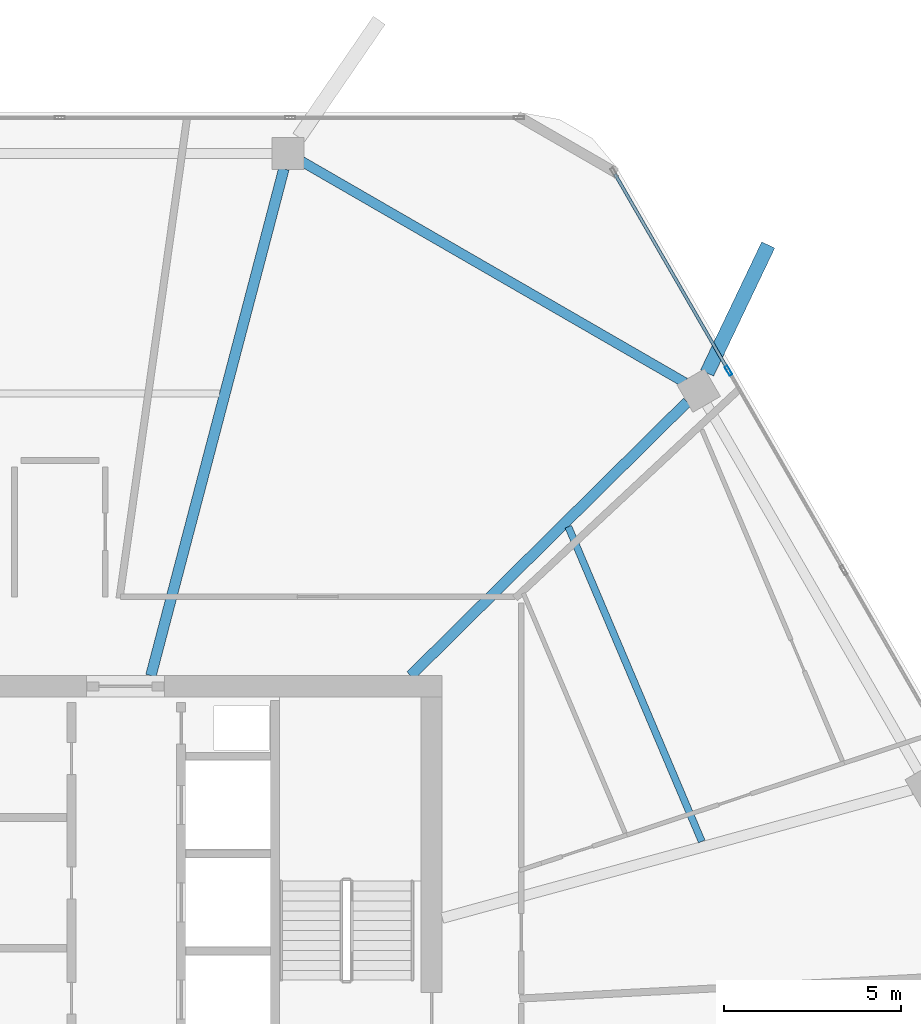
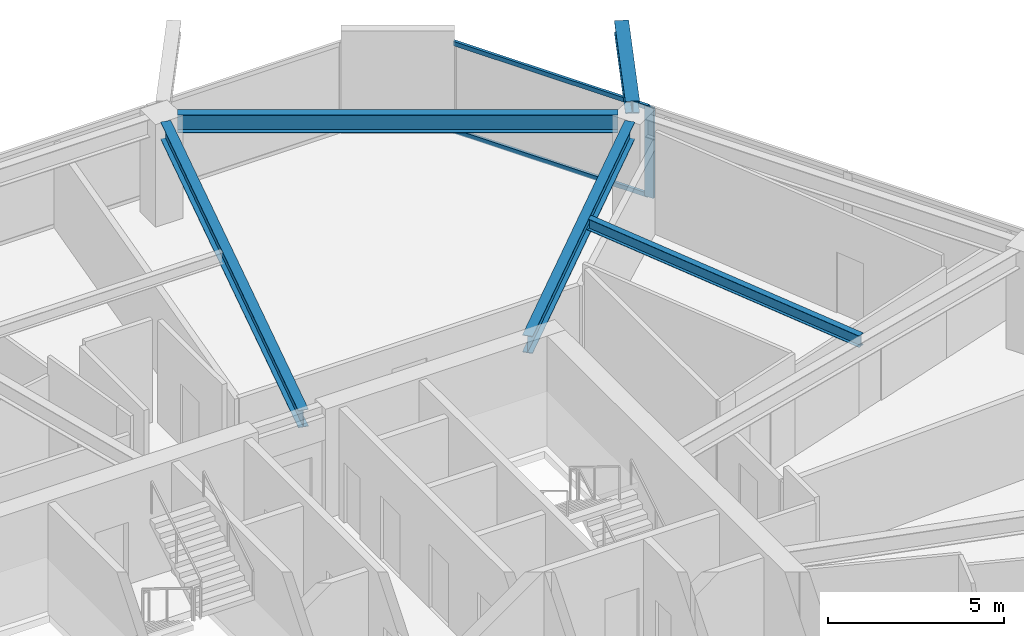
# One storey, part 14 of 25: 5 beams, 3 members, 1 element without a shape of its own.
"""IFC4 building model written with IfcOpenShell, lengths in metres."""

from ifc_helpers import new_model, si_unit, direction, frame, origin, origin_2d, place, context, subcontext, project, spatial, hollow_rectangle, i_section, extrude, material, material_profile, profile_set, type_object, element, aggregate, save


model = new_model("IFC4")

# Units and contexts
model_context = context("Model", 3, precision=1e-05, world=origin(), true_north=direction((0.0, 1.0)))
body_context = subcontext(model_context, "Body", "Model", "MODEL_VIEW")
ifc_project = project(units=[si_unit("LENGTHUNIT", "METRE"), si_unit("AREAUNIT", "SQUARE_METRE"), si_unit("VOLUMEUNIT", "CUBIC_METRE"), si_unit("PLANEANGLEUNIT", "RADIAN"), si_unit("MASSUNIT", "GRAM", prefix="KILO")], contexts=[model_context])

# Site, building, storey
site_placement = place(None, origin())
site = spatial("IfcSite", under=ifc_project, at=site_placement, CompositionType="ELEMENT")
building_placement = place(site_placement, origin())
building = spatial("IfcBuilding", under=site, at=building_placement, Name="Zuhravey Tower", CompositionType="ELEMENT")
storey_placement = place(building_placement, frame((0.0, 0.0, 257.800048828125)))
storey = spatial("IfcBuildingStorey", under=building, at=storey_placement, Name="L65", CompositionType="ELEMENT", Elevation=257.800048828125)

# Curtain wall, members
ifc_material_1 = material(Name="Thermally broken anodised aluminium", Category="aluminium")
curtain_wall_type = type_object("IfcCurtainWallType", Name="Zone 3-4 High-Rise Curtain Wall CW4", PredefinedType="NOTDEFINED", material=ifc_material_1)
curtain_wall_placement = place(storey_placement, origin())
curtain_wall = element("IfcCurtainWall", 1, at=curtain_wall_placement, inside=storey, type_object=curtain_wall_type, Name="L65 CW4 CW-L65-F1-1", PredefinedType="NOTDEFINED")
ifc_material_2 = material(Name="Anodised aluminium", Category="aluminium")
ifc_material_profile_1 = material_profile(ifc_material_2, hollow_rectangle(XDim=0.090087890625, YDim=0.284912109375, WallThickness=0.0048828125, at=origin_2d()), Name="ALU-RHS-90x285x5")
ifc_profile_set_1 = profile_set([ifc_material_profile_1], Name="Anodised aluminium")
member_type_1 = type_object("IfcMemberType", Name="Curtain-Wall Mullion 90x180", PredefinedType="MULLION", material=ifc_profile_set_1)
member_1_placement = place(storey_placement, frame((54.885498046875, 50.41650390625, 0.0), z_axis=(0.0, 0.0, 1.0), x_axis=(0.866024851021, 0.500000957414, 0.0)))
member_1 = element("IfcMember", 2, at=member_1_placement, type_object=member_type_1, Name="CW4 mullion 2", PredefinedType="MULLION", context=body_context, shape_type="SweptSolid", body=[
    extrude(hollow_rectangle(XDim=0.090087890625, YDim=0.284912109375, WallThickness=0.0048828125, at=origin_2d()), origin(), (0.0, 0.0, 1.0), 3.1220703125),
])
ifc_material_profile_2 = material_profile(ifc_material_2, hollow_rectangle(XDim=0.090087890625, YDim=0.14990234375, WallThickness=0.0048828125, at=origin_2d()), Name="ALU-RHS-90x150x5")
ifc_profile_set_2 = profile_set([ifc_material_profile_2], Name="Anodised aluminium")
member_type_2 = type_object("IfcMemberType", Name="Curtain-Wall Transom 90x150", PredefinedType="USERDEFINED", material=ifc_profile_set_2)
member_2_placement = place(storey_placement, frame((51.677490234375, 55.97314453125, 0.044921875), z_axis=(0.499980071345, -0.866036909293, 0.0), x_axis=(0.866036909293, 0.499980071345, 0.0)))
member_2 = element("IfcMember", 3, at=member_2_placement, type_object=member_type_2, Name="CW4 transom 1.1", ObjectType="TRANSOM", PredefinedType="USERDEFINED", context=body_context, shape_type="SweptSolid", body=[
    extrude(hollow_rectangle(XDim=0.090087890625, YDim=0.14990234375, WallThickness=0.0048828125, at=origin_2d()), origin(), (0.0, 0.0, 1.0), 6.371337890625),
])
member_3_placement = place(storey_placement, frame((51.677490234375, 55.97314453125, 3.076904296875), z_axis=(0.499980071345, -0.866036909293, 0.0), x_axis=(0.866036909293, 0.499980071345, 0.0)))
member_3 = element("IfcMember", 4, at=member_3_placement, type_object=member_type_2, Name="CW4 transom 1.2", ObjectType="TRANSOM", PredefinedType="USERDEFINED", context=body_context, shape_type="SweptSolid", body=[
    extrude(hollow_rectangle(XDim=0.090087890625, YDim=0.14990234375, WallThickness=0.0048828125, at=origin_2d()), origin(), (0.0, 0.0, 1.0), 6.371337890625),
])
aggregate(curtain_wall, [member_1, member_2, member_3])

# Beams
ifc_material_3 = material(Name="Steel SM460", Category="steel")
ifc_material_profile_3 = material_profile(ifc_material_3, i_section(OverallWidth=0.406982421875, OverallDepth=0.427978515625, WebThickness=0.02001953125, FlangeThickness=0.034912109375, at=origin_2d()), Name="H-428x407x20x35")
ifc_profile_set_3 = profile_set([ifc_material_profile_3], Name="Steel SM460")
beam_type_1 = type_object("IfcBeamType", Name="Exoskeleton Node Tie Beam H428x407", PredefinedType="BEAM", material=ifc_profile_set_3)
beam_1_placement = place(storey_placement, frame((54.280517578125, 50.350830078125, 3.3359375), z_axis=(0.431011445347, 0.902346460058, 0.0), x_axis=(-0.902346460058, 0.431011445347, 0.0)))
element("IfcBeam", 5, at=beam_1_placement, inside=storey, type_object=beam_type_1, Name="L65 Exoskeleton Node Tie NT1-02", PredefinedType="BEAM", context=body_context, shape_type="SweptSolid", body=[
    extrude(i_section(OverallWidth=0.406982421875, OverallDepth=0.427978515625, WebThickness=0.02001953125, FlangeThickness=0.034912109375, at=origin_2d()), origin(), (0.0, 0.0, 1.0), 4.008056640625),
])
ifc_material_4 = material(Name="Steel SM355", Category="steel")
ifc_material_profile_4 = material_profile(ifc_material_4, i_section(OverallWidth=0.280029296875, OverallDepth=0.6201171875, WebThickness=0.011962890625, FlangeThickness=0.02001953125, at=origin_2d()), Name="H-620x280x12x20")
ifc_profile_set_4 = profile_set([ifc_material_profile_4], Name="Steel SM355")
beam_type_2 = type_object("IfcBeamType", Name="Perimeter Ring Beam H620x280", PredefinedType="BEAM", material=ifc_profile_set_4)
beam_2_placement = place(storey_placement, frame((53.6513671875, 50.081298828125, 3.239990234375), z_axis=(-0.866025131093, 0.500000472315, 0.0), x_axis=(-0.500000472315, -0.866025131093, 0.0)))
element("IfcBeam", 6, at=beam_2_placement, inside=storey, type_object=beam_type_2, Name="L65 PB3 BM-L65-PB-02", PredefinedType="BEAM", context=body_context, shape_type="SweptSolid", body=[
    extrude(i_section(OverallWidth=0.280029296875, OverallDepth=0.6201171875, WebThickness=0.011962890625, FlangeThickness=0.02001953125, at=origin_2d()), origin(), (0.0, 0.0, 1.0), 12.49169921875),
])
ifc_material_profile_5 = material_profile(ifc_material_4, i_section(OverallWidth=0.300048828125, OverallDepth=0.60009765625, WebThickness=0.011962890625, FlangeThickness=0.02001953125, at=origin_2d()), Name="H-600x300x12x20")
ifc_profile_set_5 = profile_set([ifc_material_profile_5], Name="Steel SM355")
beam_type_3 = type_object("IfcBeamType", Name="Radial Primary Girder H600x300", PredefinedType="BEAM", material=ifc_profile_set_5)
beam_3_placement = place(storey_placement, frame((45.90673828125, 41.802978515625, 3.25), z_axis=(0.710816516282, 0.703377480576, 0.0), x_axis=(-0.703377480576, 0.710816516282, 0.0)))
element("IfcBeam", 7, at=beam_3_placement, inside=storey, type_object=beam_type_3, Name="L65 RG3 BM-L65-RAD-02", PredefinedType="BEAM", context=body_context, shape_type="SweptSolid", body=[
    extrude(i_section(OverallWidth=0.300048828125, OverallDepth=0.60009765625, WebThickness=0.011962890625, FlangeThickness=0.02001953125, at=origin_2d()), origin(), (0.0, 0.0, 1.0), 10.994384765625),
])
beam_4_placement = place(storey_placement, frame((38.571533203125, 41.802978515625, 3.25), z_axis=(0.253731415841, 0.967274712073, 0.0), x_axis=(-0.967274712073, 0.253731415841, 0.0)))
element("IfcBeam", 8, at=beam_4_placement, inside=storey, type_object=beam_type_3, Name="L65 RG3 BM-L65-RAD-03", PredefinedType="BEAM", context=body_context, shape_type="SweptSolid", body=[
    extrude(i_section(OverallWidth=0.300048828125, OverallDepth=0.60009765625, WebThickness=0.011962890625, FlangeThickness=0.02001953125, at=origin_2d()), origin(), (0.0, 0.0, 1.0), 14.796630859375),
])
ifc_material_profile_6 = material_profile(ifc_material_4, i_section(OverallWidth=0.199951171875, OverallDepth=0.39990234375, WebThickness=0.008056640625, FlangeThickness=0.012939453125, at=origin_2d()), Name="H-400x200x8x13")
ifc_profile_set_6 = profile_set([ifc_material_profile_6], Name="Steel SM355")
beam_type_4 = type_object("IfcBeamType", Name="Secondary Floor Joist H400x200", PredefinedType="JOIST", material=ifc_profile_set_6)
beam_5_placement = place(storey_placement, frame((54.130859375, 37.118896484375, 3.349853515625), z_axis=(-0.390413493754, 0.920639616731, 0.0), x_axis=(-0.920639616731, -0.390413493754, 0.0)))
element("IfcBeam", 9, at=beam_5_placement, inside=storey, type_object=beam_type_4, Name="L65 SJ2 BM-L65-SJ-01-1", PredefinedType="JOIST", context=body_context, shape_type="SweptSolid", body=[
    extrude(i_section(OverallWidth=0.199951171875, OverallDepth=0.39990234375, WebThickness=0.008056640625, FlangeThickness=0.012939453125, at=origin_2d()), origin(), (0.0, 0.0, 1.0), 9.656494140625),
])

save(model, "model.ifc")
